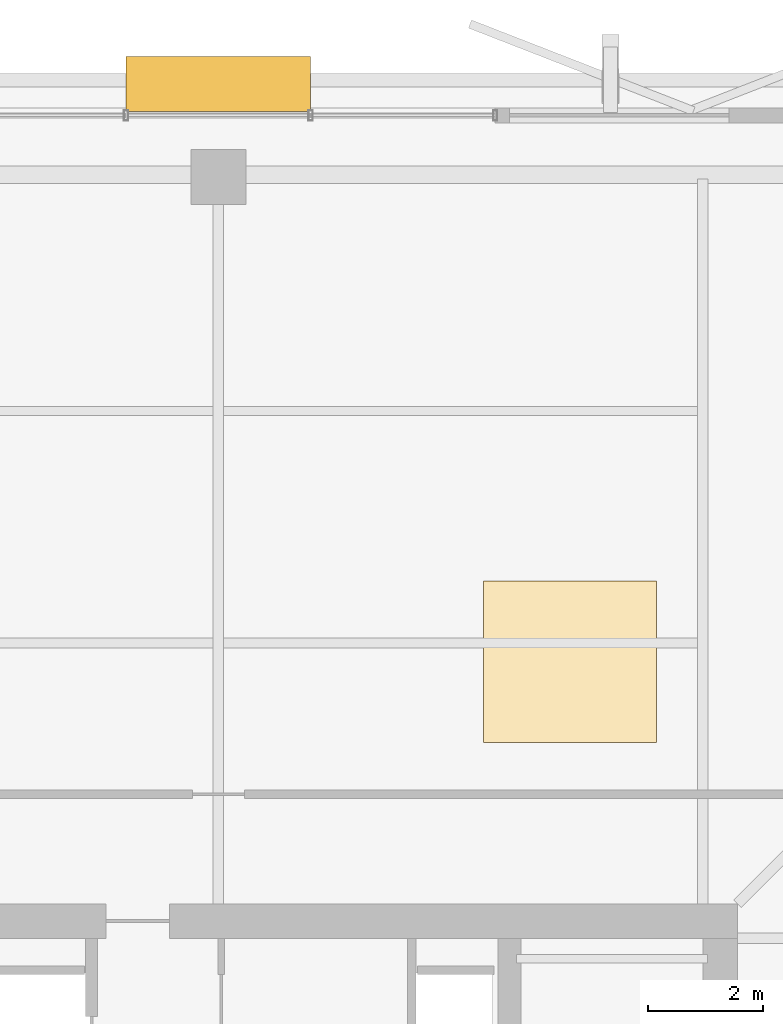
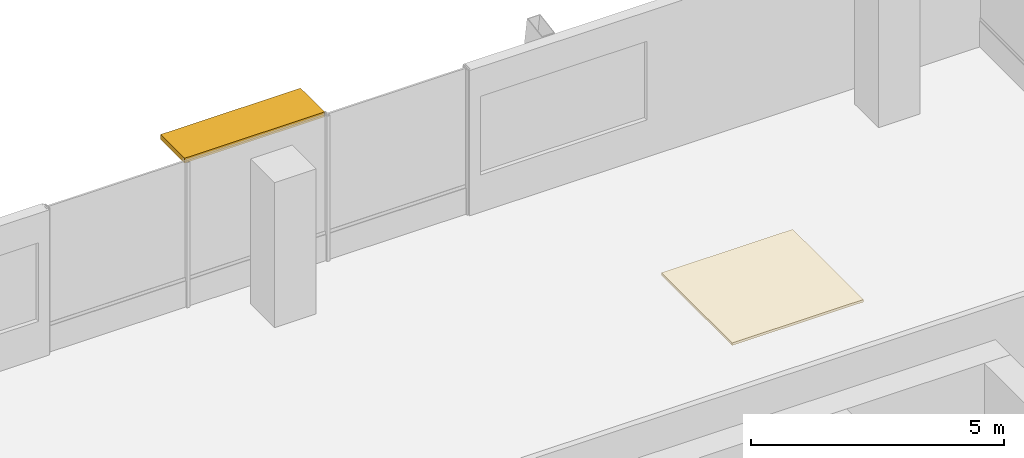
# One storey, part 26 of 26: 1 covering, 1 shading device.
"""IFC4 building model written with IfcOpenShell, lengths in metres."""

from ifc_helpers import new_model, si_unit, direction, frame, origin, origin_2d, place, context, subcontext, project, spatial, polyline, rectangle, outline, extrude, material, layer, layer_set, type_object, element, save


model = new_model("IFC4")

# Units and contexts
model_context = context("Model", 3, precision=1e-05, world=origin(), true_north=direction((0.0, 1.0)))
body_context = subcontext(model_context, "Body", "Model", "MODEL_VIEW")
ifc_project = project(units=[si_unit("LENGTHUNIT", "METRE"), si_unit("AREAUNIT", "SQUARE_METRE"), si_unit("VOLUMEUNIT", "CUBIC_METRE"), si_unit("PLANEANGLEUNIT", "RADIAN"), si_unit("MASSUNIT", "GRAM", prefix="KILO")], contexts=[model_context])

# Site, building, storey
site_placement = place(None, origin())
site = spatial("IfcSite", under=ifc_project, at=site_placement, CompositionType="ELEMENT")
building_placement = place(site_placement, origin())
building = spatial("IfcBuilding", under=site, at=building_placement, Name="Belovzor Exchange Tower", CompositionType="ELEMENT")
storey_placement = place(building_placement, frame((0.0, 0.0, 295.5)))
storey = spatial("IfcBuildingStorey", under=building, at=storey_placement, Name="L73", CompositionType="ELEMENT", Elevation=295.5)

# Covering
ifc_material_1 = material(Name="Perforated Powder-Coated Aluminium", Category="aluminium")
ifc_layer_1 = layer(ifc_material_1, 0.06005859375)
ifc_layer_set_1 = layer_set([ifc_layer_1], Name="Perforated Powder-Coated Aluminium")
covering_type = type_object("IfcCoveringType", Name="Perforated Acoustic Metal Tile Suspended Ceiling 60", PredefinedType="CEILING", material=ifc_layer_set_1)
covering_placement = place(storey_placement, frame((0.0, 0.0, 3.449951171875)))
element("IfcCovering", 1, at=covering_placement, inside=storey, type_object=covering_type, Name="CLG-AC60 Suspended Ceiling CLG-L73-Z2", PredefinedType="CEILING", context=body_context, shape_type="SweptSolid", body=[
    extrude(outline(polyline([(33.39990234375, 40.60009765625), (36.39990234375, 40.60009765625), (36.39990234375, 43.39990234375), (33.39990234375, 43.39990234375), (33.39990234375, 40.60009765625)])), origin(), (0.0, 0.0, 1.0), 0.06005859375),
])

# Shading device
ifc_material_2 = material(Name="Extruded Architectural Terracotta", Category="masonry")
ifc_layer_2 = layer(ifc_material_2, 0.1201171875)
ifc_layer_set_2 = layer_set([ifc_layer_2], Name="Extruded Architectural Terracotta")
shading_device_type = type_object("IfcShadingDeviceType", Name="Streamline Terracotta Horizontal Sunshade Hood 950", PredefinedType="AWNING", material=ifc_layer_set_2)
shading_device_placement = place(storey_placement, frame((28.800048828125, 52.014892578125, 3.389892578125), z_axis=(0.0, 0.0, 1.0), x_axis=(1.0, 0.0, 0.0)))
element("IfcShadingDevice", 2, at=shading_device_placement, inside=storey, type_object=shading_device_type, Name="SHD-TC095 Terracotta Sunshade L73 N", PredefinedType="AWNING", context=body_context, shape_type="SweptSolid", body=[
    extrude(rectangle(XDim=3.199951171875, YDim=0.949951171875, at=origin_2d()), origin(), (0.0, 0.0, 1.0), 0.1201171875),
])

save(model, "model.ifc")
